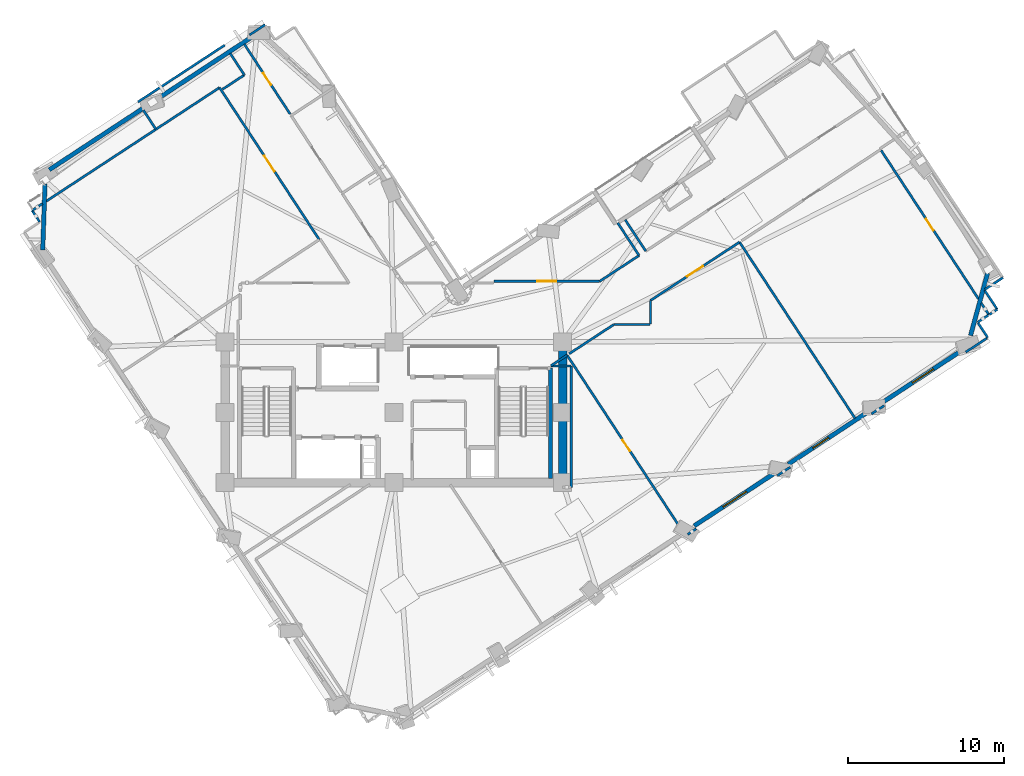
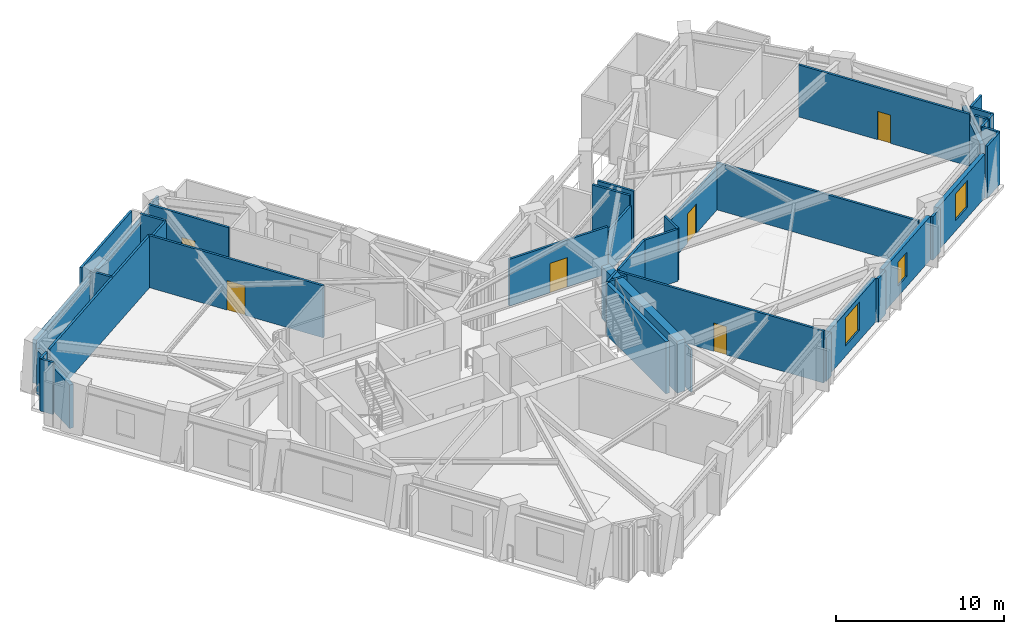
# One storey, part 7 of 14: 43 walls, 6 doors, 3 windows, 9 openings.
"""IFC4 building model written with IfcOpenShell, lengths in metres."""

from ifc_helpers import new_model, si_unit, direction, frame, frame_2d, origin, place, context, subcontext, project, spatial, rectangle, extrude, material, layer, layer_set, type_object, element, fill, save


model = new_model("IFC4")

# Units and contexts
model_context = context("Model", 3, precision=1e-05, world=origin(), true_north=direction((0.0, 1.0)))
body_context = subcontext(model_context, "Body", "Model", "MODEL_VIEW")
ifc_project = project(units=[si_unit("LENGTHUNIT", "METRE"), si_unit("AREAUNIT", "SQUARE_METRE"), si_unit("VOLUMEUNIT", "CUBIC_METRE"), si_unit("PLANEANGLEUNIT", "RADIAN"), si_unit("MASSUNIT", "GRAM", prefix="KILO")], contexts=[model_context])

# Site, building, storey
site_placement = place(None, origin())
site = spatial("IfcSite", under=ifc_project, at=site_placement, CompositionType="ELEMENT")
building_placement = place(site_placement, origin())
building = spatial("IfcBuilding", under=site, at=building_placement, Name="Gaonmaruhae Medical Tower", CompositionType="ELEMENT")
storey_placement = place(building_placement, frame((0.0, 0.0, 165.800048828125)))
storey = spatial("IfcBuildingStorey", under=building, at=storey_placement, Name="L39", CompositionType="ELEMENT", Elevation=165.800048828125)

# Wall
ifc_material_1 = material(Name="Concrete C50/60", Category="concrete")
ifc_layer_1 = layer(ifc_material_1, 0.550048828125)
ifc_layer_set_1 = layer_set([ifc_layer_1], Name="Concrete C50/60")
wall_type_1 = type_object("IfcWallType", Name="CW-550 Mid-High Core Shear Wall", PredefinedType="SHEAR", material=ifc_layer_set_1)
wall_1_placement = place(storey_placement, frame((35.60009765625, 7.800048828125, 0.0), z_axis=(0.0, 0.0, 1.0), x_axis=(0.0, 1.0, 0.0)))
element("IfcWall", 1, at=wall_1_placement, inside=storey, type_object=wall_type_1, Name="L39 Core Shear Wall CSW-E1", PredefinedType="SHEAR", context=body_context, shape_type="SweptSolid", body=[
    extrude(rectangle(XDim=9.0, YDim=0.550048828125, at=frame_2d((4.5, 0.0))), origin(), (0.0, 0.0, 1.0), 3.780029296875),
])

# Wall, opening, window
ifc_material_2 = material(Name="Precast concrete C45/55", Category="concrete")
ifc_layer_2 = layer(ifc_material_2, 0.280029296875)
ifc_layer_set_2 = layer_set([ifc_layer_2], Name="Precast concrete C45/55")
wall_type_2 = type_object("IfcWallType", Name="EW-280 Upper Precast Masonry-Frame Facade Wall", PredefinedType="SOLIDWALL", material=ifc_layer_set_2)
wall_2_placement = place(storey_placement, frame((49.219482421875, 8.434814453125, 0.0), z_axis=(0.0, 0.0, 1.0), x_axis=(-0.836296386282, -0.548277625197, 0.0)))
wall_2 = element("IfcWall", 2, at=wall_2_placement, inside=storey, type_object=wall_type_2, Name="L39 Precast Masonry-Frame Wall S04-S05", PredefinedType="SOLIDWALL", context=body_context, shape_type="SweptSolid", body=[
    extrude(rectangle(XDim=6.208984375, YDim=0.280029296875, at=frame_2d((3.1044921875, 0.0))), origin(), (0.0, 0.0, 1.0), 3.1650390625),
])
opening_1_placement = place(wall_2_placement, frame((2.20458984375, 0.0, 0.75)))
opening_1 = element("IfcOpeningElement", 3, at=opening_1_placement, cuts=wall_2, Name="Opening WN-04", PredefinedType="OPENING", context=body_context, shape_type="SweptSolid", body=[
    extrude(rectangle(XDim=1.800048828125, YDim=2.050048828125, at=frame_2d((0.89990234375, 1.02490234375))), frame((0.0, 0.14990234375, 0.0), z_axis=(0.0, -1.0, 0.0), x_axis=(1.0, 0.0, 0.0)), (0.0, 0.0, 1.0), 0.300048828125),
])
ifc_material_3 = material(Name="Anodised aluminium and Low-E double glazing", Category="aluminium")
window_type_1 = type_object("IfcWindowType", Name="WN-04 Clinic & Consult Punched Window 1800x2050", PartitioningType="SINGLE_PANEL", PredefinedType="WINDOW", material=ifc_material_3)
window_1_placement = place(opening_1_placement, origin())
window_1 = element("IfcWindow", 4, at=window_1_placement, inside=storey, type_object=window_type_1, Name="L39 Modular Facade Window S04", OverallHeight=2.050048828125, OverallWidth=1.800048828125, PartitioningType="SINGLE_PANEL", PredefinedType="WINDOW", context=body_context, shape_type="SweptSolid", body=[
    extrude(rectangle(XDim=1.800048828125, YDim=2.050048828125, at=frame_2d((0.89990234375, 1.02490234375))), frame((0.0, 0.030029296875, 0.0), z_axis=(0.0, -1.0, 0.0), x_axis=(1.0, 0.0, 0.0)), (0.0, 0.0, 1.0), 0.06005859375),
])
fill(opening_1, window_1)

wall_3_placement = place(storey_placement, frame((55.247314453125, 12.38671875, 0.0), z_axis=(0.0, 0.0, 1.0), x_axis=(-0.836284210267, -0.548296197013, 0.0)))
wall_3 = element("IfcWall", 5, at=wall_3_placement, inside=storey, type_object=wall_type_2, Name="L39 Precast Masonry-Frame Wall S05-S06", PredefinedType="SOLIDWALL", context=body_context, shape_type="SweptSolid", body=[
    extrude(rectangle(XDim=6.21826171875, YDim=0.280029296875, at=frame_2d((3.109130859375, 0.0))), origin(), (0.0, 0.0, 1.0), 3.1650390625),
])
opening_2_placement = place(wall_3_placement, frame((3.1298828125, 0.0, 0.75)))
opening_2 = element("IfcOpeningElement", 6, at=opening_2_placement, cuts=wall_3, Name="Opening WN-05", PredefinedType="OPENING", context=body_context, shape_type="SweptSolid", body=[
    extrude(rectangle(XDim=1.199951171875, YDim=1.75, at=frame_2d((0.60009765625, 0.875))), frame((0.0, 0.14990234375, 0.0), z_axis=(0.0, -1.0, 0.0), x_axis=(1.0, 0.0, 0.0)), (0.0, 0.0, 1.0), 0.300048828125),
])
window_type_2 = type_object("IfcWindowType", Name="WN-05 Support & Staff Punched Window 1200x1750", PartitioningType="SINGLE_PANEL", PredefinedType="WINDOW", material=ifc_material_3)
window_2_placement = place(opening_2_placement, origin())
window_2 = element("IfcWindow", 7, at=window_2_placement, inside=storey, type_object=window_type_2, Name="L39 Modular Facade Window S05", OverallHeight=1.75, OverallWidth=1.199951171875, PartitioningType="SINGLE_PANEL", PredefinedType="WINDOW", context=body_context, shape_type="SweptSolid", body=[
    extrude(rectangle(XDim=1.199951171875, YDim=1.75, at=frame_2d((0.60009765625, 0.875))), frame((0.0, 0.030029296875, 0.0), z_axis=(0.0, -1.0, 0.0), x_axis=(1.0, 0.0, 0.0)), (0.0, 0.0, 1.0), 0.06005859375),
])
fill(opening_2, window_2)

wall_4_placement = place(storey_placement, frame((61.28125, 16.343017578125, 0.0), z_axis=(0.0, 0.0, 1.0), x_axis=(-0.836291699202, -0.548284774406, 0.0)))
wall_4 = element("IfcWall", 8, at=wall_4_placement, inside=storey, type_object=wall_type_2, Name="L39 Precast Masonry-Frame Wall S06-S07", PredefinedType="SOLIDWALL", context=body_context, shape_type="SweptSolid", body=[
    extrude(rectangle(XDim=6.242431640625, YDim=0.280029296875, at=frame_2d((3.12109375, 0.0))), origin(), (0.0, 0.0, 1.0), 3.1650390625),
])
opening_3_placement = place(wall_4_placement, frame((2.3251953125, 0.0, 0.75)))
opening_3 = element("IfcOpeningElement", 9, at=opening_3_placement, cuts=wall_4, Name="Opening WN-01", PredefinedType="OPENING", context=body_context, shape_type="SweptSolid", body=[
    extrude(rectangle(XDim=1.60009765625, YDim=1.949951171875, at=frame_2d((0.800048828125, 0.97509765625))), frame((0.0, 0.14990234375, 0.0), z_axis=(0.0, -1.0, 0.0), x_axis=(1.0, 0.0, 0.0)), (0.0, 0.0, 1.0), 0.300048828125),
])
window_type_3 = type_object("IfcWindowType", Name="WN-01 Ward Punched Acoustic Window 1600x1950", PartitioningType="SINGLE_PANEL", PredefinedType="WINDOW", material=ifc_material_3)
window_3_placement = place(opening_3_placement, origin())
window_3 = element("IfcWindow", 10, at=window_3_placement, inside=storey, type_object=window_type_3, Name="L39 Modular Facade Window S06", OverallHeight=1.949951171875, OverallWidth=1.60009765625, PartitioningType="SINGLE_PANEL", PredefinedType="WINDOW", context=body_context, shape_type="SweptSolid", body=[
    extrude(rectangle(XDim=1.60009765625, YDim=1.949951171875, at=frame_2d((0.800048828125, 0.97509765625))), frame((0.0, 0.030029296875, 0.0), z_axis=(0.0, -1.0, 0.0), x_axis=(1.0, 0.0, 0.0)), (0.0, 0.0, 1.0), 0.06005859375),
])
fill(opening_3, window_3)

# Walls
wall_5_placement = place(storey_placement, frame((62.810302734375, 21.210205078125, 0.0), z_axis=(0.0, 0.0, 1.0), x_axis=(-0.263929675669, -0.964541925632, 0.0)))
element("IfcWall", 11, at=wall_5_placement, inside=storey, type_object=wall_type_2, Name="L39 Precast Masonry-Frame Wall S07-E01", PredefinedType="SOLIDWALL", context=body_context, shape_type="SweptSolid", body=[
    extrude(rectangle(XDim=4.14501953125, YDim=0.280029296875, at=frame_2d((2.072509765625, 0.0))), origin(), (0.0, 0.0, 1.0), 3.1650390625),
])
wall_6_placement = place(storey_placement, frame((9.611083984375, 32.329833984375, 0.0), z_axis=(0.0, 0.0, 1.0), x_axis=(0.836290304758, 0.548286901327, 0.0)))
element("IfcWall", 12, at=wall_6_placement, inside=storey, type_object=wall_type_2, Name="L39 Precast Masonry-Frame Wall N01-N02", PredefinedType="SOLIDWALL", context=body_context, shape_type="SweptSolid", body=[
    extrude(rectangle(XDim=7.23095703125, YDim=0.280029296875, at=frame_2d((3.615478515625, 0.0))), origin(), (0.0, 0.0, 1.0), 3.1650390625),
])
wall_7_placement = place(storey_placement, frame((2.7333984375, 27.820556640625, 0.0), z_axis=(0.0, 0.0, 1.0), x_axis=(0.836277942269, 0.548305757105, 0.0)))
element("IfcWall", 13, at=wall_7_placement, inside=storey, type_object=wall_type_2, Name="L39 Precast Masonry-Frame Wall N02-N03", PredefinedType="SOLIDWALL", context=body_context, shape_type="SweptSolid", body=[
    extrude(rectangle(XDim=7.269775390625, YDim=0.280029296875, at=frame_2d((3.634765625, 0.0))), origin(), (0.0, 0.0, 1.0), 3.1650390625),
])
wall_8_placement = place(storey_placement, frame((2.318115234375, 22.69775390625, 0.0), z_axis=(0.0, 0.0, 1.0), x_axis=(0.034326474725, 0.999410672913, 0.0)))
element("IfcWall", 14, at=wall_8_placement, inside=storey, type_object=wall_type_2, Name="L39 Precast Masonry-Frame Wall N03-W01", PredefinedType="SOLIDWALL", context=body_context, shape_type="SweptSolid", body=[
    extrude(rectangle(XDim=4.21044921875, YDim=0.280029296875, at=frame_2d((2.105224609375, 0.0))), origin(), (0.0, 0.0, 1.0), 3.1650390625),
])
ifc_material_4 = material(Name="Gypsum board partition", Category="gypsum")
ifc_layer_3 = layer(ifc_material_4, 0.14990234375)
ifc_layer_set_3 = layer_set([ifc_layer_3], Name="Gypsum board partition")
wall_type_3 = type_object("IfcWallType", Name="PW-150 Rated Clinical Corridor Partition", PredefinedType="PARTITIONING", material=ifc_layer_set_3)
wall_9_placement = place(storey_placement, frame((36.14990234375, 15.260009765625, 0.0), z_axis=(0.0, 0.0, 1.0), x_axis=(-0.999997459877, 0.002253938677, 0.0)))
element("IfcWall", 15, at=wall_9_placement, inside=storey, type_object=wall_type_3, Name="L39 Interior Partition L39-SUP02-15", PredefinedType="PARTITIONING", context=body_context, shape_type="SweptSolid", body=[
    extrude(rectangle(XDim=1.2998046875, YDim=0.14990234375, at=frame_2d((0.64990234375, 0.0))), origin(), (0.0, 0.0, 1.0), 3.780029296875),
])
wall_10_placement = place(storey_placement, frame((34.85009765625, 15.27587890625, 0.0), z_axis=(0.0, 0.0, 1.0), x_axis=(0.836022538156, 0.548695102671, 0.0)))
element("IfcWall", 16, at=wall_10_placement, inside=storey, type_object=wall_type_3, Name="L39 Interior Partition L39-SUP02-16", PredefinedType="PARTITIONING", context=body_context, shape_type="SweptSolid", body=[
    extrude(rectangle(XDim=1.241455078125, YDim=0.14990234375, at=frame_2d((0.62060546875, 0.0))), origin(), (0.0, 0.0, 1.0), 3.780029296875),
])

# Wall, opening, door
wall_11_placement = place(storey_placement, frame((35.887939453125, 15.95703125, 0.0), z_axis=(0.0, 0.0, 1.0), x_axis=(0.548296249178, -0.836284176065, 0.0)))
wall_11 = element("IfcWall", 17, at=wall_11_placement, inside=storey, type_object=wall_type_3, Name="L39 Interior Partition L39-SUP02-17", PredefinedType="PARTITIONING", context=body_context, shape_type="SweptSolid", body=[
    extrude(rectangle(XDim=13.830078125, YDim=0.14990234375, at=frame_2d((6.9150390625, 0.0))), origin(), (0.0, 0.0, 1.0), 3.780029296875),
])
opening_4_placement = place(wall_11_placement, frame((6.485107421875, 0.0, 0.0)))
opening_4 = element("IfcOpeningElement", 18, at=opening_4_placement, cuts=wall_11, Name="Opening AD-01", PredefinedType="OPENING", context=body_context, shape_type="SweptSolid", body=[
    extrude(rectangle(XDim=0.860107421875, YDim=2.06005859375, at=frame_2d((0.43017578125, 1.030029296875))), frame((0.0, 0.0849609375, 0.0), z_axis=(0.0, -1.0, 0.0), x_axis=(1.0, 0.0, 0.0)), (0.0, 0.0, 1.0), 0.169921875),
])
ifc_material_5 = material(Name="Powder-coated steel access door", Category="steel")
door_type_1 = type_object("IfcDoorType", Name="AD-01 Riser & Closet Access Fire Door 860x2060", OperationType="NOTDEFINED", PredefinedType="DOOR", material=ifc_material_5)
door_1_placement = place(opening_4_placement, origin())
door_1 = element("IfcDoor", 19, at=door_1_placement, inside=storey, type_object=door_type_1, Name="L39 Clinical Biomedical Charting Office Sliding Door", OperationType="SLIDING_TO_LEFT", OverallHeight=2.06005859375, OverallWidth=0.860107421875, PredefinedType="DOOR", context=body_context, shape_type="SweptSolid", body=[
    extrude(rectangle(XDim=0.860107421875, YDim=2.06005859375, at=frame_2d((0.43017578125, 1.030029296875))), frame((0.0, 0.02490234375, 0.0), z_axis=(0.0, -1.0, 0.0), x_axis=(1.0, 0.0, 0.0)), (0.0, 0.0, 1.0), 0.050048828125),
])
fill(opening_4, door_1)

# Walls
wall_12_placement = place(storey_placement, frame((36.14990234375, 7.5, 0.0), z_axis=(0.0, 0.0, 1.0), x_axis=(0.0, 1.0, 0.0)))
element("IfcWall", 20, at=wall_12_placement, inside=storey, type_object=wall_type_3, Name="L39 Interior Partition L39-SUP02-20", PredefinedType="PARTITIONING", context=body_context, shape_type="SweptSolid", body=[
    extrude(rectangle(XDim=7.760009765625, YDim=0.14990234375, at=frame_2d((3.8798828125, 0.0))), origin(), (0.0, 0.0, 1.0), 3.06494140625),
])
wall_13_placement = place(storey_placement, frame((41.22998046875, 17.949951171875, 0.0), z_axis=(0.0, 0.0, 1.0), x_axis=(0.0, 1.0, 0.0)))
element("IfcWall", 21, at=wall_13_placement, inside=storey, type_object=wall_type_3, Name="L39 Interior Partition L39-SUP03-21", PredefinedType="PARTITIONING", context=body_context, shape_type="SweptSolid", body=[
    extrude(rectangle(XDim=1.509033203125, YDim=0.14990234375, at=frame_2d((0.75439453125, 0.0))), origin(), (0.0, 0.0, 1.0), 3.780029296875),
])

# Wall, opening, door
wall_14_placement = place(storey_placement, frame((41.22998046875, 19.458984375, 0.0), z_axis=(0.0, 0.0, 1.0), x_axis=(0.836287739874, 0.548290813471, 0.0)))
wall_14 = element("IfcWall", 22, at=wall_14_placement, inside=storey, type_object=wall_type_3, Name="L39 Interior Partition L39-SUP03-22", PredefinedType="PARTITIONING", context=body_context, shape_type="SweptSolid", body=[
    extrude(rectangle(XDim=6.812255859375, YDim=0.14990234375, at=frame_2d((3.40625, 0.0))), origin(), (0.0, 0.0, 1.0), 3.06494140625),
])
opening_5_placement = place(wall_14_placement, frame((2.80615234375, 0.0, 0.0)))
opening_5 = element("IfcOpeningElement", 23, at=opening_5_placement, cuts=wall_14, Name="Opening CD-02", PredefinedType="OPENING", context=body_context, shape_type="SweptSolid", body=[
    extrude(rectangle(XDim=1.199951171875, YDim=2.14990234375, at=frame_2d((0.60009765625, 1.074951171875))), frame((0.0, 0.0849609375, 0.0), z_axis=(0.0, -1.0, 0.0), x_axis=(1.0, 0.0, 0.0)), (0.0, 0.0, 1.0), 0.169921875),
])
ifc_material_6 = material(Name="Antimicrobial laminate timber fire door", Category="wood")
door_type_2 = type_object("IfcDoorType", Name="CD-02 Clinical Treatment & Procedure Door 1200x2150", OperationType="NOTDEFINED", PredefinedType="DOOR", material=ifc_material_6)
door_2_placement = place(opening_5_placement, origin())
door_2 = element("IfcDoor", 24, at=door_2_placement, inside=storey, type_object=door_type_2, Name="L39 Clinical Biomedical Charting Office Door", OperationType="SINGLE_SWING_LEFT", OverallHeight=2.14990234375, OverallWidth=1.199951171875, PredefinedType="DOOR", context=body_context, shape_type="SweptSolid", body=[
    extrude(rectangle(XDim=1.199951171875, YDim=2.14990234375, at=frame_2d((0.60009765625, 1.074951171875))), frame((0.0, 0.02490234375, 0.0), z_axis=(0.0, -1.0, 0.0), x_axis=(1.0, 0.0, 0.0)), (0.0, 0.0, 1.0), 0.050048828125),
])
fill(opening_5, door_2)

# Walls
wall_15_placement = place(storey_placement, frame((46.927001953125, 23.194091796875, 0.0), z_axis=(0.0, 0.0, 1.0), x_axis=(0.54831669657, -0.836270769705, 0.0)))
element("IfcWall", 25, at=wall_15_placement, inside=storey, type_object=wall_type_3, Name="L39 Interior Partition L39-SUP03-23", PredefinedType="PARTITIONING", context=body_context, shape_type="SweptSolid", body=[
    extrude(rectangle(XDim=13.485107421875, YDim=0.14990234375, at=frame_2d((6.74267578125, 0.0))), origin(), (0.0, 0.0, 1.0), 3.4150390625),
])
wall_16_placement = place(storey_placement, frame((50.173095703125, 8.784912109375, 0.0), z_axis=(0.0, 0.0, 1.0), x_axis=(-0.836726177972, -0.547621496196, 0.0)))
element("IfcWall", 26, at=wall_16_placement, inside=storey, type_object=wall_type_3, Name="L39 Interior Partition L39-SUP03-24", PredefinedType="PARTITIONING", context=body_context, shape_type="SweptSolid", body=[
    extrude(rectangle(XDim=0.98974609375, YDim=0.14990234375, at=frame_2d((0.494873046875, 0.0))), origin(), (0.0, 0.0, 1.0), 3.1650390625),
])
wall_17_placement = place(storey_placement, frame((44.153076171875, 4.837890625, 0.0), z_axis=(0.0, 0.0, 1.0), x_axis=(-0.836608362839, -0.547801466982, 0.0)))
element("IfcWall", 27, at=wall_17_placement, inside=storey, type_object=wall_type_3, Name="L39 Interior Partition L39-SUP03-25", PredefinedType="PARTITIONING", context=body_context, shape_type="SweptSolid", body=[
    extrude(rectangle(XDim=0.655029296875, YDim=0.14990234375, at=frame_2d((0.32763671875, 0.0))), origin(), (0.0, 0.0, 1.0), 3.1650390625),
])
wall_18_placement = place(storey_placement, frame((36.02197265625, 16.044921875, 0.0), z_axis=(0.0, 0.0, 1.0), x_axis=(0.836308759612, 0.5482587515, 0.0)))
element("IfcWall", 28, at=wall_18_placement, inside=storey, type_object=wall_type_3, Name="L39 Interior Partition L39-SUP03-26", PredefinedType="PARTITIONING", context=body_context, shape_type="SweptSolid", body=[
    extrude(rectangle(XDim=3.419921875, YDim=0.14990234375, at=frame_2d((1.7099609375, 0.0))), origin(), (0.0, 0.0, 1.0), 3.780029296875),
])
wall_19_placement = place(storey_placement, frame((38.882080078125, 17.919921875, 0.0), z_axis=(0.0, 0.0, 1.0), x_axis=(1.0, 0.0, 0.0)))
element("IfcWall", 29, at=wall_19_placement, inside=storey, type_object=wall_type_3, Name="L39 Interior Partition L39-SUP03-27", PredefinedType="PARTITIONING", context=body_context, shape_type="SweptSolid", body=[
    extrude(rectangle(XDim=2.32080078125, YDim=0.14990234375, at=frame_2d((1.160400390625, 0.0))), origin(), (0.0, 0.0, 1.0), 3.780029296875),
])

# Wall, opening, door
wall_20_placement = place(storey_placement, frame((55.986083984375, 29.073974609375, 0.0), z_axis=(0.0, 0.0, 1.0), x_axis=(0.548346156001, -0.836251453332, 0.0)))
wall_20 = element("IfcWall", 30, at=wall_20_placement, inside=storey, type_object=wall_type_3, Name="L39 Interior Partition L39-SUP04-29", PredefinedType="PARTITIONING", context=body_context, shape_type="SweptSolid", body=[
    extrude(rectangle(XDim=11.396240234375, YDim=0.14990234375, at=frame_2d((5.6982421875, 0.0))), origin(), (0.0, 0.0, 1.0), 3.780029296875),
])
opening_6_placement = place(wall_20_placement, frame((5.26806640625, 0.0, 0.0)))
opening_6 = element("IfcOpeningElement", 31, at=opening_6_placement, cuts=wall_20, Name="Opening AD-01", PredefinedType="OPENING", context=body_context, shape_type="SweptSolid", body=[
    extrude(rectangle(XDim=0.860107421875, YDim=2.06005859375, at=frame_2d((0.43017578125, 1.030029296875))), frame((0.0, 0.0849609375, 0.0), z_axis=(0.0, -1.0, 0.0), x_axis=(1.0, 0.0, 0.0)), (0.0, 0.0, 1.0), 0.169921875),
])
door_3_placement = place(opening_6_placement, origin())
door_3 = element("IfcDoor", 32, at=door_3_placement, inside=storey, type_object=door_type_1, Name="L39 Biomedical Mobile Equipment Bay Sliding Door", OperationType="SLIDING_TO_LEFT", OverallHeight=2.06005859375, OverallWidth=0.860107421875, PredefinedType="DOOR", context=body_context, shape_type="SweptSolid", body=[
    extrude(rectangle(XDim=0.860107421875, YDim=2.06005859375, at=frame_2d((0.43017578125, 1.030029296875))), frame((0.0, 0.02490234375, 0.0), z_axis=(0.0, -1.0, 0.0), x_axis=(1.0, 0.0, 0.0)), (0.0, 0.0, 1.0), 0.050048828125),
])
fill(opening_6, door_3)

# Walls
wall_21_placement = place(storey_placement, frame((62.403076171875, 19.287109375, 0.0), z_axis=(0.0, 0.0, 1.0), x_axis=(0.548466171821, -0.836172744335, 0.0)))
element("IfcWall", 33, at=wall_21_placement, inside=storey, type_object=wall_type_3, Name="L39 Interior Partition L39-SUP04-30", PredefinedType="PARTITIONING", context=body_context, shape_type="SweptSolid", body=[
    extrude(rectangle(XDim=0.89697265625, YDim=0.14990234375, at=frame_2d((0.448486328125, 0.0))), origin(), (0.0, 0.0, 1.0), 3.780029296875),
])
wall_22_placement = place(storey_placement, frame((62.85302734375, 18.510009765625, 0.0), z_axis=(0.0, 0.0, 1.0), x_axis=(-0.835949078194, -0.548807014046, 0.0)))
element("IfcWall", 34, at=wall_22_placement, inside=storey, type_object=wall_type_3, Name="L39 Interior Partition L39-SUP04-31", PredefinedType="PARTITIONING", context=body_context, shape_type="SweptSolid", body=[
    extrude(rectangle(XDim=0.814453125, YDim=0.14990234375, at=frame_2d((0.4072265625, 0.0))), origin(), (0.0, 0.0, 1.0), 3.780029296875),
])
wall_23_placement = place(storey_placement, frame((62.198974609375, 18.02099609375, 0.0), z_axis=(0.0, 0.0, 1.0), x_axis=(0.548604544808, -0.836081965728, 0.0)))
element("IfcWall", 35, at=wall_23_placement, inside=storey, type_object=wall_type_3, Name="L39 Interior Partition L39-SUP04-32", PredefinedType="PARTITIONING", context=body_context, shape_type="SweptSolid", body=[
    extrude(rectangle(XDim=1.13037109375, YDim=0.14990234375, at=frame_2d((0.565185546875, 0.0))), origin(), (0.0, 0.0, 1.0), 3.780029296875),
])
wall_24_placement = place(storey_placement, frame((62.777099609375, 17.049072265625, 0.0), z_axis=(0.0, 0.0, 1.0), x_axis=(-0.836312696584, -0.548252746032, 0.0)))
element("IfcWall", 36, at=wall_24_placement, inside=storey, type_object=wall_type_3, Name="L39 Interior Partition L39-SUP04-33", PredefinedType="PARTITIONING", context=body_context, shape_type="SweptSolid", body=[
    extrude(rectangle(XDim=1.63818359375, YDim=0.14990234375, at=frame_2d((0.819091796875, 0.0))), origin(), (0.0, 0.0, 1.0), 3.780029296875),
])
wall_25_placement = place(storey_placement, frame((56.18701171875, 12.72802734375, 0.0), z_axis=(0.0, 0.0, 1.0), x_axis=(-0.836155745767, -0.54849208638, 0.0)))
element("IfcWall", 37, at=wall_25_placement, inside=storey, type_object=wall_type_3, Name="L39 Interior Partition L39-SUP04-34", PredefinedType="PARTITIONING", context=body_context, shape_type="SweptSolid", body=[
    extrude(rectangle(XDim=0.973388671875, YDim=0.14990234375, at=frame_2d((0.48681640625, 0.0))), origin(), (0.0, 0.0, 1.0), 3.1650390625),
])
wall_26_placement = place(storey_placement, frame((2.116943359375, 24.487060546875, 0.0), z_axis=(0.0, 0.0, 1.0), x_axis=(-0.547595227361, 0.83674336984, 0.0)))
element("IfcWall", 38, at=wall_26_placement, inside=storey, type_object=wall_type_3, Name="L39 Interior Partition L39-WOF06-47", PredefinedType="PARTITIONING", context=body_context, shape_type="SweptSolid", body=[
    extrude(rectangle(XDim=0.874755859375, YDim=0.14990234375, at=frame_2d((0.4375, 0.0))), origin(), (0.0, 0.0, 1.0), 3.780029296875),
])
wall_27_placement = place(storey_placement, frame((1.637939453125, 25.218994140625, 0.0), z_axis=(0.0, 0.0, 1.0), x_axis=(0.836451450256, 0.548041030731, 0.0)))
element("IfcWall", 39, at=wall_27_placement, inside=storey, type_object=wall_type_3, Name="L39 Interior Partition L39-WOF06-48", PredefinedType="PARTITIONING", context=body_context, shape_type="SweptSolid", body=[
    extrude(rectangle(XDim=0.79736328125, YDim=0.14990234375, at=frame_2d((0.398681640625, 0.0))), origin(), (0.0, 0.0, 1.0), 3.780029296875),
])
wall_28_placement = place(storey_placement, frame((2.5400390625, 25.81005859375, 0.0), z_axis=(0.0, 0.0, 1.0), x_axis=(0.836260132702, 0.548332919359, 0.0)))
element("IfcWall", 40, at=wall_28_placement, inside=storey, type_object=wall_type_3, Name="L39 Interior Partition L39-WOF06-49", PredefinedType="PARTITIONING", context=body_context, shape_type="SweptSolid", body=[
    extrude(rectangle(XDim=13.270751953125, YDim=0.14990234375, at=frame_2d((6.63525390625, 0.0))), origin(), (0.0, 0.0, 1.0), 3.780029296875),
])

# Wall, opening, door
wall_29_placement = place(storey_placement, frame((13.637939453125, 33.0869140625, 0.0), z_axis=(0.0, 0.0, 1.0), x_axis=(0.548329312424, -0.836262497746, 0.0)))
wall_29 = element("IfcWall", 41, at=wall_29_placement, inside=storey, type_object=wall_type_3, Name="L39 Interior Partition L39-WOF06-50", PredefinedType="PARTITIONING", context=body_context, shape_type="SweptSolid", body=[
    extrude(rectangle(XDim=11.640869140625, YDim=0.14990234375, at=frame_2d((5.8203125, 0.0))), origin(), (0.0, 0.0, 1.0), 3.780029296875),
])
opening_7_placement = place(wall_29_placement, frame((5.220458984375, 0.0, 0.0)))
opening_7 = element("IfcOpeningElement", 42, at=opening_7_placement, cuts=wall_29, Name="Opening CD-02", PredefinedType="OPENING", context=body_context, shape_type="SweptSolid", body=[
    extrude(rectangle(XDim=1.199951171875, YDim=2.14990234375, at=frame_2d((0.60009765625, 1.074951171875))), frame((0.0, 0.0849609375, 0.0), z_axis=(0.0, -1.0, 0.0), x_axis=(1.0, 0.0, 0.0)), (0.0, 0.0, 1.0), 0.169921875),
])
door_4_placement = place(opening_7_placement, origin())
door_4 = element("IfcDoor", 43, at=door_4_placement, inside=storey, type_object=door_type_2, Name="L39 Ward Physician Reporting Office Door", OperationType="SINGLE_SWING_LEFT", OverallHeight=2.14990234375, OverallWidth=1.199951171875, PredefinedType="DOOR", context=body_context, shape_type="SweptSolid", body=[
    extrude(rectangle(XDim=1.199951171875, YDim=2.14990234375, at=frame_2d((0.60009765625, 1.074951171875))), frame((0.0, 0.02490234375, 0.0), z_axis=(0.0, -1.0, 0.0), x_axis=(1.0, 0.0, 0.0)), (0.0, 0.0, 1.0), 0.050048828125),
])
fill(opening_7, door_4)

# Walls
wall_30_placement = place(storey_placement, frame((39.125, 24.428955078125, 0.0), z_axis=(0.0, 0.0, 1.0), x_axis=(0.548330098424, -0.836261982373, 0.0)))
element("IfcWall", 44, at=wall_30_placement, inside=storey, type_object=wall_type_3, Name="L39 Interior Partition L39-IE01-66", PredefinedType="PARTITIONING", context=body_context, shape_type="SweptSolid", body=[
    extrude(rectangle(XDim=2.50048828125, YDim=0.14990234375, at=frame_2d((1.250244140625, 0.0))), origin(), (0.0, 0.0, 1.0), 3.780029296875),
])
wall_31_placement = place(storey_placement, frame((40.49609375, 22.337890625, 0.0), z_axis=(0.0, 0.0, 1.0), x_axis=(-0.836310513297, -0.548256076436, 0.0)))
element("IfcWall", 45, at=wall_31_placement, inside=storey, type_object=wall_type_3, Name="L39 Interior Partition L39-IE01-67", PredefinedType="PARTITIONING", context=body_context, shape_type="SweptSolid", body=[
    extrude(rectangle(XDim=3.024169921875, YDim=0.14990234375, at=frame_2d((1.51220703125, 0.0))), origin(), (0.0, 0.0, 1.0), 3.044921875),
])

# Wall, opening, door
wall_32_placement = place(storey_placement, frame((37.967041015625, 20.679931640625, 0.0), z_axis=(0.0, 0.0, 1.0), x_axis=(-1.0, 0.0, 0.0)))
wall_32 = element("IfcWall", 46, at=wall_32_placement, inside=storey, type_object=wall_type_3, Name="L39 Interior Partition L39-IE01-68", PredefinedType="PARTITIONING", context=body_context, shape_type="SweptSolid", body=[
    extrude(rectangle(XDim=6.77001953125, YDim=0.14990234375, at=frame_2d((3.385009765625, 0.0))), origin(), (0.0, 0.0, 1.0), 3.4150390625),
])
opening_8_placement = place(wall_32_placement, frame((2.784912109375, 0.0, 0.0)))
opening_8 = element("IfcOpeningElement", 47, at=opening_8_placement, cuts=wall_32, Name="Opening CD-02", PredefinedType="OPENING", context=body_context, shape_type="SweptSolid", body=[
    extrude(rectangle(XDim=1.199951171875, YDim=2.14990234375, at=frame_2d((0.60009765625, 1.074951171875))), frame((0.0, 0.0849609375, 0.0), z_axis=(0.0, -1.0, 0.0), x_axis=(1.0, 0.0, 0.0)), (0.0, 0.0, 1.0), 0.169921875),
])
door_5_placement = place(opening_8_placement, origin())
door_5 = element("IfcDoor", 48, at=door_5_placement, inside=storey, type_object=door_type_2, Name="L39 Central Clinical Nurse Station Door", OperationType="SINGLE_SWING_RIGHT", OverallHeight=2.14990234375, OverallWidth=1.199951171875, PredefinedType="DOOR", context=body_context, shape_type="SweptSolid", body=[
    extrude(rectangle(XDim=1.199951171875, YDim=2.14990234375, at=frame_2d((0.60009765625, 1.074951171875))), frame((0.0, 0.02490234375, 0.0), z_axis=(0.0, -1.0, 0.0), x_axis=(1.0, 0.0, 0.0)), (0.0, 0.0, 1.0), 0.050048828125),
])
fill(opening_8, door_5)

# Wall
wall_33_placement = place(storey_placement, frame((40.923095703125, 22.617919921875, 0.0), z_axis=(0.0, 0.0, 1.0), x_axis=(-0.548192826292, 0.836351974471, 0.0)))
element("IfcWall", 49, at=wall_33_placement, inside=storey, type_object=wall_type_3, Name="L39 Interior Partition L39-IE02-74", PredefinedType="PARTITIONING", context=body_context, shape_type="SweptSolid", body=[
    extrude(rectangle(XDim=2.404541015625, YDim=0.14990234375, at=frame_2d((1.2021484375, 0.0))), origin(), (0.0, 0.0, 1.0), 3.780029296875),
])

# Wall, opening, door
wall_34_placement = place(storey_placement, frame((18.155029296875, 31.39599609375, 0.0), z_axis=(0.0, 0.0, 1.0), x_axis=(-0.548303612182, 0.836279348584, 0.0)))
wall_34 = element("IfcWall", 50, at=wall_34_placement, inside=storey, type_object=wall_type_3, Name="L39 Interior Partition L39-IN03-95", PredefinedType="PARTITIONING", context=body_context, shape_type="SweptSolid", body=[
    extrude(rectangle(XDim=5.351318359375, YDim=0.14990234375, at=frame_2d((2.67578125, 0.0))), origin(), (0.0, 0.0, 1.0), 3.780029296875),
])
opening_9_placement = place(wall_34_placement, frame((2.215576171875, 0.0, 0.0)))
opening_9 = element("IfcOpeningElement", 51, at=opening_9_placement, cuts=wall_34, Name="Opening UD-01", PredefinedType="OPENING", context=body_context, shape_type="SweptSolid", body=[
    extrude(rectangle(XDim=0.919921875, YDim=2.10009765625, at=frame_2d((0.4599609375, 1.050048828125))), frame((0.0, 0.0849609375, 0.0), z_axis=(0.0, -1.0, 0.0), x_axis=(1.0, 0.0, 0.0)), (0.0, 0.0, 1.0), 0.169921875),
])
ifc_material_7 = material(Name="Powder-coated steel utility door", Category="steel")
door_type_3 = type_object("IfcDoorType", Name="UD-01 Toilet, Utility & Housekeeping Door 920x2100", OperationType="NOTDEFINED", PredefinedType="DOOR", material=ifc_material_7)
door_6_placement = place(opening_9_placement, origin())
door_6 = element("IfcDoor", 52, at=door_6_placement, inside=storey, type_object=door_type_3, Name="L39 Public Visitor Toilet Door", OperationType="SINGLE_SWING_LEFT", OverallHeight=2.10009765625, OverallWidth=0.919921875, PredefinedType="DOOR", context=body_context, shape_type="SweptSolid", body=[
    extrude(rectangle(XDim=0.919921875, YDim=2.10009765625, at=frame_2d((0.4599609375, 1.050048828125))), frame((0.0, 0.02490234375, 0.0), z_axis=(0.0, -1.0, 0.0), x_axis=(1.0, 0.0, 0.0)), (0.0, 0.0, 1.0), 0.050048828125),
])
fill(opening_9, door_6)

# Walls
wall_35_placement = place(storey_placement, frame((15.553955078125, 36.4541015625, 0.0), z_axis=(0.0, 0.0, 1.0), x_axis=(0.836679505215, 0.547692802175, 0.0)))
element("IfcWall", 53, at=wall_35_placement, inside=storey, type_object=wall_type_3, Name="L39 Interior Partition L39-IN03-96", PredefinedType="PARTITIONING", context=body_context, shape_type="SweptSolid", body=[
    extrude(rectangle(XDim=1.201416015625, YDim=0.14990234375, at=frame_2d((0.6005859375, 0.0))), origin(), (0.0, 0.0, 1.0), 3.1650390625),
])
wall_36_placement = place(storey_placement, frame((9.554931640625, 30.43310546875, 0.0), z_axis=(0.0, 0.0, 1.0), x_axis=(-0.548349191763, 0.836249462716, 0.0)))
element("IfcWall", 54, at=wall_36_placement, inside=storey, type_object=wall_type_3, Name="L39 Interior Partition L39-RM02-101", PredefinedType="PARTITIONING", context=body_context, shape_type="SweptSolid", body=[
    extrude(rectangle(XDim=1.440673828125, YDim=0.14990234375, at=frame_2d((0.72021484375, 0.0))), origin(), (0.0, 0.0, 1.0), 3.780029296875),
])
wall_37_placement = place(storey_placement, frame((8.4169921875, 32.1689453125, 0.0), z_axis=(0.0, 0.0, 1.0), x_axis=(0.836324517696, 0.548234713513, 0.0)))
element("IfcWall", 55, at=wall_37_placement, inside=storey, type_object=wall_type_3, Name="L39 Interior Partition L39-RM02-102", PredefinedType="PARTITIONING", context=body_context, shape_type="SweptSolid", body=[
    extrude(rectangle(XDim=6.6396484375, YDim=0.14990234375, at=frame_2d((3.31982421875, 0.0))), origin(), (0.0, 0.0, 1.0), 3.780029296875),
])
wall_38_placement = place(storey_placement, frame((14.318115234375, 35.278076171875, 0.0), z_axis=(0.0, 0.0, 1.0), x_axis=(0.548524345856, -0.836134583667, 0.0)))
element("IfcWall", 56, at=wall_38_placement, inside=storey, type_object=wall_type_3, Name="L39 Interior Partition L39-RM02-103", PredefinedType="PARTITIONING", context=body_context, shape_type="SweptSolid", body=[
    extrude(rectangle(XDim=1.6552734375, YDim=0.14990234375, at=frame_2d((0.82763671875, 0.0))), origin(), (0.0, 0.0, 1.0), 3.780029296875),
])
wall_39_placement = place(storey_placement, frame((15.22607421875, 33.89404296875, 0.0), z_axis=(0.0, 0.0, 1.0), x_axis=(-0.836380380156, -0.548149486628, 0.0)))
element("IfcWall", 57, at=wall_39_placement, inside=storey, type_object=wall_type_3, Name="L39 Interior Partition L39-RM02-104", PredefinedType="PARTITIONING", context=body_context, shape_type="SweptSolid", body=[
    extrude(rectangle(XDim=1.6728515625, YDim=0.14990234375, at=frame_2d((0.83642578125, 0.0))), origin(), (0.0, 0.0, 1.0), 3.780029296875),
])
wall_40_placement = place(storey_placement, frame((63.791015625, 20.91796875, 0.0), z_axis=(0.0, 0.0, 1.0), x_axis=(-0.835971381585, -0.548773039763, 0.0)))
element("IfcWall", 58, at=wall_40_placement, inside=storey, type_object=wall_type_3, Name="L39 Interior Partition L39-RM03-106", PredefinedType="PARTITIONING", context=body_context, shape_type="SweptSolid", body=[
    extrude(rectangle(XDim=1.3720703125, YDim=0.14990234375, at=frame_2d((0.68603515625, 0.0))), origin(), (0.0, 0.0, 1.0), 3.780029296875),
])
wall_41_placement = place(storey_placement, frame((62.626953125, 20.10400390625, 0.0), z_axis=(0.0, 0.0, 1.0), x_axis=(0.548228300685, -0.836328721454, 0.0)))
element("IfcWall", 59, at=wall_41_placement, inside=storey, type_object=wall_type_3, Name="L39 Interior Partition L39-RM03-107", PredefinedType="PARTITIONING", context=body_context, shape_type="SweptSolid", body=[
    extrude(rectangle(XDim=1.45751953125, YDim=0.14990234375, at=frame_2d((0.728759765625, 0.0))), origin(), (0.0, 0.0, 1.0), 3.780029296875),
])
wall_42_placement = place(storey_placement, frame((63.426025390625, 18.885009765625, 0.0), z_axis=(0.0, 0.0, 1.0), x_axis=(-0.836304094671, -0.548265867291, 0.0)))
element("IfcWall", 60, at=wall_42_placement, inside=storey, type_object=wall_type_3, Name="L39 Interior Partition L39-RM03-108", PredefinedType="PARTITIONING", context=body_context, shape_type="SweptSolid", body=[
    extrude(rectangle(XDim=0.614501953125, YDim=0.14990234375, at=frame_2d((0.30712890625, 0.0))), origin(), (0.0, 0.0, 1.0), 3.780029296875),
])
ifc_layer_4 = layer(ifc_material_1, 0.239990234375)
ifc_layer_set_4 = layer_set([ifc_layer_4], Name="Concrete C50/60")
wall_type_4 = type_object("IfcWallType", Name="SW-240 Dogleg Stair Tight Shaft Wall", PredefinedType="SOLIDWALL", material=ifc_layer_set_4)
wall_43_placement = place(storey_placement, frame((34.830078125, 15.1201171875, 0.0), z_axis=(0.0, 0.0, 1.0), x_axis=(0.0, -1.0, 0.0)))
element("IfcWall", 61, at=wall_43_placement, inside=storey, type_object=wall_type_4, Name="L39 ST-02 Stair Shaft Wall SHW-ST-02-E", PredefinedType="SOLIDWALL", context=body_context, shape_type="SweptSolid", body=[
    extrude(rectangle(XDim=7.045166015625, YDim=0.239990234375, at=frame_2d((3.5224609375, 0.0))), origin(), (0.0, 0.0, 1.0), 3.780029296875),
])

save(model, "model.ifc")
